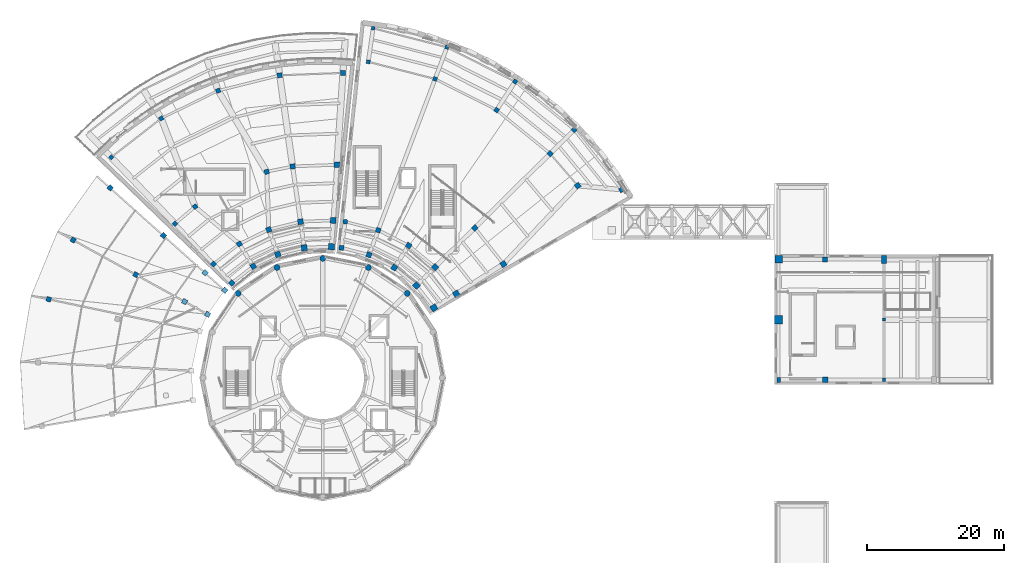
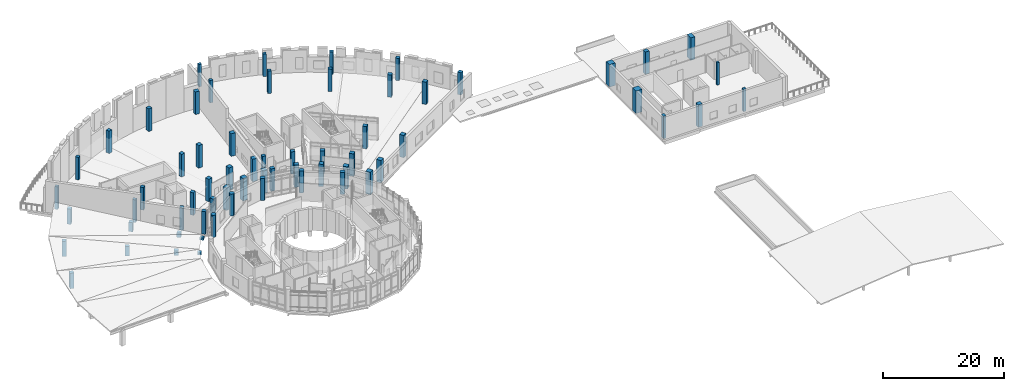
# One storey, part 3 of 49: 64 columns.
"""IFC4 building model written with IfcOpenShell, lengths in metres."""

from ifc_helpers import new_model, si_unit, direction, frame, origin, origin_2d, place, context, subcontext, project, spatial, rectangle, circle, extrude, material, material_profile, profile_set, type_object, element, save


model = new_model("IFC4")

# Units and contexts
model_context = context("Model", 3, precision=1e-05, world=origin(), true_north=direction((0.0, 1.0)))
body_context = subcontext(model_context, "Body", "Model", "MODEL_VIEW")
ifc_project = project(units=[si_unit("LENGTHUNIT", "METRE"), si_unit("AREAUNIT", "SQUARE_METRE"), si_unit("VOLUMEUNIT", "CUBIC_METRE"), si_unit("PLANEANGLEUNIT", "RADIAN"), si_unit("MASSUNIT", "GRAM", prefix="KILO")], contexts=[model_context])

# Site, building, storey
site_placement = place(None, origin())
site = spatial("IfcSite", under=ifc_project, at=site_placement, CompositionType="ELEMENT")
building_placement = place(site_placement, origin())
building = spatial("IfcBuilding", under=site, at=building_placement, Name="Soyqirgoq Riverine Aquarium", CompositionType="ELEMENT")
storey_placement = place(building_placement, frame((0.0, 0.0, 15.0)))
storey = spatial("IfcBuildingStorey", under=building, at=storey_placement, Name="L04", CompositionType="ELEMENT", Elevation=15.0)

# Columns
ifc_material_1 = material(Name="Concrete C40/50", Category="concrete")
ifc_material_profile_1 = material_profile(ifc_material_1, circle(Radius=0.425048828125, at=origin_2d()), Name="RC-COL D850")
ifc_profile_set_1 = profile_set([ifc_material_profile_1], Name="Concrete C40/50")
column_type_1 = type_object("IfcColumnType", Name="Col_Circ_D850", PredefinedType="COLUMN", material=ifc_profile_set_1)
for number, where, z_axis, x_axis, name in (
    (1, (68.339111328125, 69.339111328125, 0.0), (0.0, 0.0, 1.0), (0.707106781187, 0.707106781187, 0.0), "V1 Column V1-CO03 L04"),
    (2, (62.677734375, 73.12158203125, 0.0), (0.0, 0.0, 1.0), (0.382683432365, 0.923879532511, 0.0), "V1 Column V1-CO04 L04"),
    (3, (56.0, 74.449951171875, 0.0), (0.0, 0.0, 1.0), (0.0, 1.0, 0.0), "V1 Column V1-CO05 L04"),
    (4, (49.322265625, 73.12158203125, 0.0), (0.0, 0.0, 1.0), (-0.382683432365, 0.923879532511, 0.0), "V1 Column V1-CO06 L04"),
    (5, (43.660888671875, 69.339111328125, 0.0), (0.0, 0.0, 1.0), (-0.707106781187, 0.707106781187, 0.0), "V1 Column V1-CO07 L04"),
):
    element("IfcColumn", number, at=place(storey_placement, frame(where, z_axis=z_axis, x_axis=x_axis)), inside=storey, type_object=column_type_1, Name=name, PredefinedType="COLUMN", context=body_context, shape_type="SweptSolid", body=[
        extrude(circle(Radius=0.425048828125, at=origin_2d()), origin(), (0.0, 0.0, 1.0), 4.449951171875),
    ])
ifc_material_2 = material(Name="Waterproof concrete C45/55", Category="concrete")
ifc_material_profile_2 = material_profile(ifc_material_2, rectangle(XDim=1.10009765625, YDim=1.10009765625, at=origin_2d()), Name="RC 1100x1100")
ifc_profile_set_2 = profile_set([ifc_material_profile_2], Name="Waterproof concrete C45/55")
column_type_2 = type_object("IfcColumnType", Name="Col_RC_1100x1100", PredefinedType="COLUMN", material=ifc_profile_set_2)
column_1_placement = place(storey_placement, frame((122.60009765625, 74.300048828125, 0.0), z_axis=(0.0, 0.0, 1.0), x_axis=(1.0, 0.0, 0.0)))
element("IfcColumn", 6, at=column_1_placement, inside=storey, type_object=column_type_2, Name="V7 Column V7-C-10 L04", PredefinedType="COLUMN", context=body_context, shape_type="SweptSolid", body=[
    extrude(rectangle(XDim=1.10009765625, YDim=1.10009765625, at=origin_2d()), origin(), (0.0, 0.0, 1.0), 4.5400390625),
])
ifc_material_3 = material(Name="Waterproof concrete C45/55", Category="concrete")
ifc_material_profile_3 = material_profile(ifc_material_3, rectangle(XDim=1.199951171875, YDim=1.199951171875, at=origin_2d()), Name="RC 1200x1200")
ifc_profile_set_3 = profile_set([ifc_material_profile_3], Name="Waterproof concrete C45/55")
column_type_3 = type_object("IfcColumnType", Name="Col_RC_1200x1200", PredefinedType="COLUMN", material=ifc_profile_set_3)
column_2_placement = place(storey_placement, frame((122.60009765625, 65.5, 0.0), z_axis=(0.0, 0.0, 1.0), x_axis=(1.0, 0.0, 0.0)))
element("IfcColumn", 7, at=column_2_placement, inside=storey, type_object=column_type_3, Name="V7 Column V7-C-09 L04", PredefinedType="COLUMN", context=body_context, shape_type="SweptSolid", body=[
    extrude(rectangle(XDim=1.199951171875, YDim=1.199951171875, at=origin_2d()), origin(), (0.0, 0.0, 1.0), 4.5400390625),
])
ifc_material_4 = material(Name="Concrete C40/50", Category="concrete")
ifc_material_profile_4 = material_profile(ifc_material_4, rectangle(XDim=0.449951171875, YDim=0.449951171875, at=origin_2d()), Name="RC 450x450")
ifc_profile_set_4 = profile_set([ifc_material_profile_4], Name="Concrete C40/50")
column_type_4 = type_object("IfcColumnType", Name="Col_RC_450x450", PredefinedType="COLUMN", material=ifc_profile_set_4)
column_3_placement = place(storey_placement, frame((138.0, 65.5, 0.0), z_axis=(0.0, 0.0, 1.0), x_axis=(1.0, 0.0, 0.0)))
element("IfcColumn", 8, at=column_3_placement, inside=storey, type_object=column_type_4, Name="V7 Column V7-C-22 L04", PredefinedType="COLUMN", context=body_context, shape_type="SweptSolid", body=[
    extrude(rectangle(XDim=0.449951171875, YDim=0.449951171875, at=origin_2d()), origin(), (0.0, 0.0, 1.0), 4.5400390625),
])
ifc_material_5 = material(Name="Concrete C40/50", Category="concrete")
ifc_material_profile_5 = material_profile(ifc_material_5, rectangle(XDim=0.5, YDim=0.5, at=origin_2d()), Name="RC 500x500")
ifc_profile_set_5 = profile_set([ifc_material_profile_5], Name="Concrete C40/50")
column_type_5 = type_object("IfcColumnType", Name="Col_RC_500x500", PredefinedType="COLUMN", material=ifc_profile_set_5)
column_4_placement = place(storey_placement, frame((63.359619140625, 108.072509765625, 0.0), z_axis=(0.0, 0.0, 1.0), x_axis=(0.142628933706, 0.989776230908, 0.0)))
element("IfcColumn", 9, at=column_4_placement, inside=storey, type_object=column_type_5, Name="V5 Column V5-CR5-05 L04", PredefinedType="COLUMN", context=body_context, shape_type="SweptSolid", body=[
    extrude(rectangle(XDim=0.5, YDim=0.5, at=origin_2d()), origin(), (0.0, 0.0, 1.0), 4.52001953125),
])
column_5_placement = place(storey_placement, frame((138.0, 56.699951171875, 0.0), z_axis=(0.0, 0.0, 1.0), x_axis=(1.0, 0.0, 0.0)))
element("IfcColumn", 10, at=column_5_placement, inside=storey, type_object=column_type_5, Name="V7 Column V7-C-21 L04", PredefinedType="COLUMN", context=body_context, shape_type="SweptSolid", body=[
    extrude(rectangle(XDim=0.5, YDim=0.5, at=origin_2d()), origin(), (0.0, 0.0, 1.0), 4.5400390625),
])
ifc_material_6 = material(Name="Concrete C40/50", Category="concrete")
ifc_material_profile_6 = material_profile(ifc_material_6, rectangle(XDim=0.5, YDim=0.75, at=origin_2d()), Name="RC-COL 500x750")
ifc_profile_set_6 = profile_set([ifc_material_profile_6], Name="Concrete C40/50")
column_type_6 = type_object("IfcColumnType", Name="Col_RC_500x750", PredefinedType="COLUMN", material=ifc_profile_set_6)
column_6_placement = place(storey_placement, frame((122.60009765625, 56.699951171875, 0.0), z_axis=(0.0, 0.0, 1.0), x_axis=(1.0, 0.0, 0.0)))
element("IfcColumn", 11, at=column_6_placement, inside=storey, type_object=column_type_6, Name="V7 Column V7-C-08 L04", PredefinedType="COLUMN", context=body_context, shape_type="SweptSolid", body=[
    extrude(rectangle(XDim=0.5, YDim=0.75, at=origin_2d()), origin(), (0.0, 0.0, 1.0), 4.5400390625),
])
ifc_material_7 = material(Name="Concrete C40/50", Category="concrete")
ifc_material_profile_7 = material_profile(ifc_material_7, rectangle(XDim=0.550048828125, YDim=0.550048828125, at=origin_2d()), Name="RC 550x550")
ifc_profile_set_7 = profile_set([ifc_material_profile_7], Name="Concrete C40/50")
column_type_7 = type_object("IfcColumnType", Name="Col_RC_550x550", PredefinedType="COLUMN", material=ifc_profile_set_7)
column_7_placement = place(storey_placement, frame((25.095703125, 89.2265625, 0.0), z_axis=(0.0, 0.0, 1.0), x_axis=(-0.69214317387, 0.721760228098, 0.0)))
element("IfcColumn", 12, at=column_7_placement, inside=storey, type_object=column_type_7, Name="V4 Column V4-CR4-05 L04", PredefinedType="COLUMN", context=body_context, shape_type="SweptSolid", body=[
    extrude(rectangle(XDim=0.550048828125, YDim=0.550048828125, at=origin_2d()), origin(), (0.0, 0.0, 1.0), 4.580078125),
])
for number, where, z_axis, x_axis, name in (
    (13, (74.155029296875, 105.30078125, 0.0), (0.0, 0.0, 1.0), (0.351841648405, 0.936059535739, 0.0), "V5 Column V5-CR5-04 L04"),
    (14, (62.653564453125, 103.173095703125, 0.0), (0.0, 0.0, 1.0), (0.142628933706, 0.989776230908, 0.0), "V5 Column V5-CR4-05 L04"),
):
    element("IfcColumn", number, at=place(storey_placement, frame(where, z_axis=z_axis, x_axis=x_axis)), inside=storey, type_object=column_type_7, Name=name, PredefinedType="COLUMN", context=body_context, shape_type="SweptSolid", body=[
        extrude(rectangle(XDim=0.550048828125, YDim=0.550048828125, at=origin_2d()), origin(), (0.0, 0.0, 1.0), 4.52001953125),
    ])
ifc_material_8 = material(Name="Concrete C40/50", Category="concrete")
ifc_material_profile_8 = material_profile(ifc_material_8, rectangle(XDim=0.60009765625, YDim=0.60009765625, at=origin_2d()), Name="RC 600x600")
ifc_profile_set_8 = profile_set([ifc_material_profile_8], Name="Concrete C40/50")
column_type_8 = type_object("IfcColumnType", Name="Col_RC_600x600", PredefinedType="COLUMN", material=ifc_profile_set_8)
for number, where, z_axis, x_axis, name in (
    (15, (32.4052734375, 94.906494140625, 0.0), (0.0, 0.0, 1.0), (-0.528438334722, 0.848971687629, 0.0), "V4 Column V4-CR4-04 L04"),
    (16, (34.405029296875, 79.518798828125, 0.0), (0.0, 0.0, 1.0), (-0.69214317387, 0.721760228098, 0.0), "V4 Column V4-CR3-05 L04"),
):
    element("IfcColumn", number, at=place(storey_placement, frame(where, z_axis=z_axis, x_axis=x_axis)), inside=storey, type_object=column_type_8, Name=name, PredefinedType="COLUMN", context=body_context, shape_type="SweptSolid", body=[
        extrude(rectangle(XDim=0.60009765625, YDim=0.60009765625, at=origin_2d()), origin(), (0.0, 0.0, 1.0), 4.580078125),
    ])
for number, where, z_axis, x_axis, name in (
    (17, (84.103515625, 100.275390625, 0.0), (0.0, 0.0, 1.0), (0.544639035015, 0.838670567945, 0.0), "V5 Column V5-CR5-03 L04"),
    (18, (72.413330078125, 100.667236328125, 0.0), (0.0, 0.0, 1.0), (0.351841648405, 0.936059535739, 0.0), "V5 Column V5-CR4-04 L04"),
):
    element("IfcColumn", number, at=place(storey_placement, frame(where, z_axis=z_axis, x_axis=x_axis)), inside=storey, type_object=column_type_8, Name=name, PredefinedType="COLUMN", context=body_context, shape_type="SweptSolid", body=[
        extrude(rectangle(XDim=0.60009765625, YDim=0.60009765625, at=origin_2d()), origin(), (0.0, 0.0, 1.0), 4.52001953125),
    ])
ifc_material_9 = material(Name="Concrete C40/50", Category="concrete")
ifc_material_profile_9 = material_profile(ifc_material_9, rectangle(XDim=0.64990234375, YDim=0.64990234375, at=origin_2d()), Name="RC 650x650")
ifc_profile_set_9 = profile_set([ifc_material_profile_9], Name="Concrete C40/50")
column_type_9 = type_object("IfcColumnType", Name="Col_RC_650x650", PredefinedType="COLUMN", material=ifc_profile_set_9)
for number, where, z_axis, x_axis, name in (
    (19, (40.728759765625, 98.957275390625, 0.0), (0.0, 0.0, 1.0), (-0.342020143326, 0.939692620786, 0.0), "V4 Column V4-CR4-03 L04"),
    (20, (37.35400390625, 82.015380859375, 0.0), (0.0, 0.0, 1.0), (-0.597625146976, 0.801775644244, 0.0), "V4 Column V4-CR3-04 L04"),
    (21, (40.046142578125, 73.63671875, 0.0), (0.0, 0.0, 1.0), (-0.69214317387, 0.721760228098, 0.0), "V4 Column V4-CR2-05 L04"),
):
    element("IfcColumn", number, at=place(storey_placement, frame(where, z_axis=z_axis, x_axis=x_axis)), inside=storey, type_object=column_type_9, Name=name, PredefinedType="COLUMN", context=body_context, shape_type="SweptSolid", body=[
        extrude(rectangle(XDim=0.64990234375, YDim=0.64990234375, at=origin_2d()), origin(), (0.0, 0.0, 1.0), 4.580078125),
    ])
for number, where, z_axis, x_axis, name in (
    (22, (92.740478515625, 93.231201171875, 0.0), (0.0, 0.0, 1.0), (0.712026045991, 0.702153052995, 0.0), "V5 Column V5-CR5-02 L04"),
    (23, (81.407470703125, 96.1240234375, 0.0), (0.0, 0.0, 1.0), (0.544639035015, 0.838670567945, 0.0), "V5 Column V5-CR4-03 L04"),
    (24, (59.28759765625, 79.814208984375, 0.0), (0.0, 0.0, 1.0), (0.142628933706, 0.989776230908, 0.0), "V5 Column V5-CR2-05 L04"),
):
    element("IfcColumn", number, at=place(storey_placement, frame(where, z_axis=z_axis, x_axis=x_axis)), inside=storey, type_object=column_type_9, Name=name, PredefinedType="COLUMN", context=body_context, shape_type="SweptSolid", body=[
        extrude(rectangle(XDim=0.64990234375, YDim=0.64990234375, at=origin_2d()), origin(), (0.0, 0.0, 1.0), 4.52001953125),
    ])
ifc_material_10 = material(Name="Concrete C40/50", Category="concrete")
ifc_material_profile_10 = material_profile(ifc_material_10, rectangle(XDim=0.699951171875, YDim=0.699951171875, at=origin_2d()), Name="RC 700x700")
ifc_profile_set_10 = profile_set([ifc_material_profile_10], Name="Concrete C40/50")
column_type_10 = type_object("IfcColumnType", Name="Col_RC_700x700", PredefinedType="COLUMN", material=ifc_profile_set_10)
for number, where, z_axis, x_axis, name in (
    (25, (49.708740234375, 101.20458984375, 0.0), (0.0, 0.0, 1.0), (-0.140901231938, 0.990023657717, 0.0), "V4 Column V4-CR4-02 L04"),
    (26, (47.819580078125, 87.1083984375, 0.0), (0.0, 0.0, 1.0), (-0.262189178641, 0.965016494472, 0.0), "V4 Column V4-CR3-03 L04"),
    (27, (43.819580078125, 76.56884765625, 0.0), (0.0, 0.0, 1.0), (-0.528438334722, 0.848971687629, 0.0), "V4 Column V4-CR2-04 L04"),
    (28, (42.7109375, 70.85791015625, 0.0), (0.0, 0.0, 1.0), (-0.69214317387, 0.721760228098, 0.0), "V4 Column V4-CR1-05 L04"),
):
    element("IfcColumn", number, at=place(storey_placement, frame(where, z_axis=z_axis, x_axis=x_axis)), inside=storey, type_object=column_type_10, Name=name, PredefinedType="COLUMN", context=body_context, shape_type="SweptSolid", body=[
        extrude(rectangle(XDim=0.699951171875, YDim=0.699951171875, at=origin_2d()), origin(), (0.0, 0.0, 1.0), 4.580078125),
    ])
for number, where, z_axis, x_axis, name in (
    (29, (99.66357421875, 84.496337890625, 0.0), (0.0, 0.0, 1.0), (0.846193166128, 0.532876276071, 0.0), "V5 Column V5-CR5-01 L04"),
    (30, (89.216064453125, 89.75537109375, 0.0), (0.0, 0.0, 1.0), (0.712026045991, 0.702153052995, 0.0), "V5 Column V5-CR4-02 L04"),
    (31, (64.10986328125, 78.576171875, 0.0), (0.0, 0.0, 1.0), (0.351841648405, 0.936059535739, 0.0), "V5 Column V5-CR2-04 L04"),
    (32, (58.738525390625, 76.003662109375, 0.0), (0.0, 0.0, 1.0), (0.142628933706, 0.989776230908, 0.0), "V5 Column V5-CR1-05 L04"),
):
    element("IfcColumn", number, at=place(storey_placement, frame(where, z_axis=z_axis, x_axis=x_axis)), inside=storey, type_object=column_type_10, Name=name, PredefinedType="COLUMN", context=body_context, shape_type="SweptSolid", body=[
        extrude(rectangle(XDim=0.699951171875, YDim=0.699951171875, at=origin_2d()), origin(), (0.0, 0.0, 1.0), 4.52001953125),
    ])
column_8_placement = place(storey_placement, frame((41.68701171875, 69.79736328125, -0.219970703125), z_axis=(0.0, 0.0, 1.0), x_axis=(-0.745475999683, 0.666532470249, 0.0)))
element("IfcColumn", 33, at=column_8_placement, inside=storey, type_object=column_type_10, Name="V3 Prairie Roof Inner Column Post 01", PredefinedType="COLUMN", context=body_context, shape_type="SweptSolid", body=[
    extrude(rectangle(XDim=0.699951171875, YDim=0.699951171875, at=origin_2d()), origin(), (0.0, 0.0, 1.0), 0.427978515625),
])
column_9_placement = place(storey_placement, frame((24.950927734375, 84.760986328125, -0.219970703125), z_axis=(0.0, 0.0, 1.0), x_axis=(-0.745475999683, 0.666532470249, 0.0)))
element("IfcColumn", 34, at=column_9_placement, inside=storey, type_object=column_type_10, Name="V3 Prairie Roof Outer Column Post 01", PredefinedType="COLUMN", context=body_context, shape_type="SweptSolid", body=[
    extrude(rectangle(XDim=0.699951171875, YDim=0.699951171875, at=origin_2d()), origin(), (0.0, 0.0, 1.0), 3.09375),
])
column_10_placement = place(storey_placement, frame((38.81689453125, 72.363525390625, -0.219970703125), z_axis=(0.0, 0.0, 1.0), x_axis=(-0.745475999683, 0.666532470249, 0.0)))
element("IfcColumn", 35, at=column_10_placement, inside=storey, type_object=column_type_10, Name="V3 Prairie Roof Mid Column Post R2-01", PredefinedType="COLUMN", context=body_context, shape_type="SweptSolid", body=[
    extrude(rectangle(XDim=0.699951171875, YDim=0.699951171875, at=origin_2d()), origin(), (0.0, 0.0, 1.0), 0.885009765625),
])
column_11_placement = place(storey_placement, frame((32.7412109375, 77.7958984375, -0.219970703125), z_axis=(0.0, 0.0, 1.0), x_axis=(-0.745475999683, 0.666532470249, 0.0)))
element("IfcColumn", 36, at=column_11_placement, inside=storey, type_object=column_type_10, Name="V3 Prairie Roof Mid Column Post R3-01", PredefinedType="COLUMN", context=body_context, shape_type="SweptSolid", body=[
    extrude(rectangle(XDim=0.699951171875, YDim=0.699951171875, at=origin_2d()), origin(), (0.0, 0.0, 1.0), 1.852783203125),
])
column_12_placement = place(storey_placement, frame((39.191162109375, 66.279052734375, -0.219970703125), z_axis=(0.0, 0.0, 1.0), x_axis=(-0.875464527, 0.483282383255, 0.0)))
element("IfcColumn", 37, at=column_12_placement, inside=storey, type_object=column_type_10, Name="V3 Prairie Roof Inner Column Post 02", PredefinedType="COLUMN", context=body_context, shape_type="SweptSolid", body=[
    extrude(rectangle(XDim=0.699951171875, YDim=0.699951171875, at=origin_2d()), origin(), (0.0, 0.0, 1.0), 0.432861328125),
])
column_13_placement = place(storey_placement, frame((19.536865234375, 77.128662109375, -0.219970703125), z_axis=(0.0, 0.0, 1.0), x_axis=(-0.875464527, 0.483282383255, 0.0)))
element("IfcColumn", 38, at=column_13_placement, inside=storey, type_object=column_type_10, Name="V3 Prairie Roof Outer Column Post 02", PredefinedType="COLUMN", context=body_context, shape_type="SweptSolid", body=[
    extrude(rectangle(XDim=0.699951171875, YDim=0.699951171875, at=origin_2d()), origin(), (0.0, 0.0, 1.0), 3.0986328125),
])
column_14_placement = place(storey_placement, frame((35.820556640625, 68.1396484375, -0.219970703125), z_axis=(0.0, 0.0, 1.0), x_axis=(-0.875464527, 0.483282383255, 0.0)))
element("IfcColumn", 39, at=column_14_placement, inside=storey, type_object=column_type_10, Name="V3 Prairie Roof Mid Column Post R2-02", PredefinedType="COLUMN", context=body_context, shape_type="SweptSolid", body=[
    extrude(rectangle(XDim=0.699951171875, YDim=0.699951171875, at=origin_2d()), origin(), (0.0, 0.0, 1.0), 0.89013671875),
])
column_15_placement = place(storey_placement, frame((28.685546875, 72.078369140625, -0.219970703125), z_axis=(0.0, 0.0, 1.0), x_axis=(-0.875464527, 0.483282383255, 0.0)))
element("IfcColumn", 40, at=column_15_placement, inside=storey, type_object=column_type_10, Name="V3 Prairie Roof Mid Column Post R3-02", PredefinedType="COLUMN", context=body_context, shape_type="SweptSolid", body=[
    extrude(rectangle(XDim=0.699951171875, YDim=0.699951171875, at=origin_2d()), origin(), (0.0, 0.0, 1.0), 1.857666015625),
])
column_16_placement = place(storey_placement, frame((15.96337890625, 68.480224609375, -0.219970703125), z_axis=(0.0, 0.0, 1.0), x_axis=(-0.961261695938, 0.275637355817, 0.0)))
element("IfcColumn", 41, at=column_16_placement, inside=storey, type_object=column_type_10, Name="V3 Prairie Roof Outer Column Post 03", PredefinedType="COLUMN", context=body_context, shape_type="SweptSolid", body=[
    extrude(rectangle(XDim=0.699951171875, YDim=0.699951171875, at=origin_2d()), origin(), (0.0, 0.0, 1.0), 3.123291015625),
])
ifc_material_11 = material(Name="Concrete C40/50", Category="concrete")
ifc_material_profile_11 = material_profile(ifc_material_11, rectangle(XDim=0.75, YDim=0.75, at=origin_2d()), Name="RC 750x750")
ifc_profile_set_11 = profile_set([ifc_material_profile_11], Name="Concrete C40/50")
column_type_11 = type_object("IfcColumnType", Name="Col_RC_750x750", PredefinedType="COLUMN", material=ifc_profile_set_11)
for number, where, z_axis, x_axis, name in (
    (42, (58.958984375, 101.5517578125, 0.0), (0.0, 0.0, 1.0), (0.0662739004, 0.997801468292, 0.0), "V4 Column V4-CR4-01 L04"),
    (43, (51.60400390625, 87.888671875, 0.0), (0.0, 0.0, 1.0), (-0.140901231938, 0.990023657717, 0.0), "V4 Column V4-CR3-02 L04"),
    (44, (48.116455078125, 78.659912109375, 0.0), (0.0, 0.0, 1.0), (-0.342020143326, 0.939692620786, 0.0), "V4 Column V4-CR2-03 L04"),
    (45, (45.85400390625, 73.30029296875, 0.0), (0.0, 0.0, 1.0), (-0.528438334722, 0.848971687629, 0.0), "V4 Column V4-CR1-04 L04"),
):
    element("IfcColumn", number, at=place(storey_placement, frame(where, z_axis=z_axis, x_axis=x_axis)), inside=storey, type_object=column_type_11, Name=name, PredefinedType="COLUMN", context=body_context, shape_type="SweptSolid", body=[
        extrude(rectangle(XDim=0.75, YDim=0.75, at=origin_2d()), origin(), (0.0, 0.0, 1.0), 4.580078125),
    ])
for number, where, z_axis, x_axis, name in (
    (46, (93.25634765625, 85.07470703125, 0.0), (0.0, 0.0, 1.0), (0.798635510047, 0.601815023152, 0.0), "V5 Column V5-CR4-01 L04"),
    (47, (78.215087890625, 78.9072265625, 0.0), (0.0, 0.0, 1.0), (0.712026045991, 0.702153052995, 0.0), "V5 Column V5-CR3-02 L04"),
    (48, (68.553955078125, 76.331298828125, 0.0), (0.0, 0.0, 1.0), (0.544639035015, 0.838670567945, 0.0), "V5 Column V5-CR2-03 L04"),
    (49, (62.75537109375, 74.972412109375, 0.0), (0.0, 0.0, 1.0), (0.351841648405, 0.936059535739, 0.0), "V5 Column V5-CR1-04 L04"),
):
    element("IfcColumn", number, at=place(storey_placement, frame(where, z_axis=z_axis, x_axis=x_axis)), inside=storey, type_object=column_type_11, Name=name, PredefinedType="COLUMN", context=body_context, shape_type="SweptSolid", body=[
        extrude(rectangle(XDim=0.75, YDim=0.75, at=origin_2d()), origin(), (0.0, 0.0, 1.0), 4.52001953125),
    ])
column_17_placement = place(storey_placement, frame((129.39990234375, 74.300048828125, 0.0), z_axis=(0.0, 0.0, 1.0), x_axis=(1.0, 0.0, 0.0)))
element("IfcColumn", 50, at=column_17_placement, inside=storey, type_object=column_type_11, Name="V7 Column V7-C-16 L04", PredefinedType="COLUMN", context=body_context, shape_type="SweptSolid", body=[
    extrude(rectangle(XDim=0.75, YDim=0.75, at=origin_2d()), origin(), (0.0, 0.0, 1.0), 4.5400390625),
])
ifc_material_12 = material(Name="Concrete C40/50", Category="concrete")
ifc_material_profile_12 = material_profile(ifc_material_12, rectangle(XDim=0.800048828125, YDim=1.199951171875, at=origin_2d()), Name="RC-COL 800x1200")
ifc_profile_set_12 = profile_set([ifc_material_profile_12], Name="Concrete C40/50")
column_type_12 = type_object("IfcColumnType", Name="Col_RC_800x1200", PredefinedType="COLUMN", material=ifc_profile_set_12)
column_18_placement = place(storey_placement, frame((138.0, 74.300048828125, 0.0), z_axis=(0.0, 0.0, 1.0), x_axis=(1.0, 0.0, 0.0)))
element("IfcColumn", 51, at=column_18_placement, inside=storey, type_object=column_type_12, Name="V7 Column V7-C-23 L04", PredefinedType="COLUMN", context=body_context, shape_type="SweptSolid", body=[
    extrude(rectangle(XDim=0.800048828125, YDim=1.199951171875, at=origin_2d()), origin(), (0.0, 0.0, 1.0), 4.5400390625),
])
ifc_material_13 = material(Name="Concrete C40/50", Category="concrete")
ifc_material_profile_13 = material_profile(ifc_material_13, rectangle(XDim=0.800048828125, YDim=0.800048828125, at=origin_2d()), Name="RC 800x800")
ifc_profile_set_13 = profile_set([ifc_material_profile_13], Name="Concrete C40/50")
column_type_13 = type_object("IfcColumnType", Name="Col_RC_800x800", PredefinedType="COLUMN", material=ifc_profile_set_13)
for number, where, z_axis, x_axis, name in (
    (52, (58.067626953125, 88.13134765625, 0.0), (0.0, 0.0, 1.0), (0.0662739004, 0.997801468292, 0.0), "V4 Column V4-CR3-01 L04"),
    (53, (52.752197265625, 79.820068359375, 0.0), (0.0, 0.0, 1.0), (-0.140901231938, 0.990023657717, 0.0), "V4 Column V4-CR2-02 L04"),
    (54, (49.43310546875, 75.0419921875, 0.0), (0.0, 0.0, 1.0), (-0.342020143326, 0.939692620786, 0.0), "V4 Column V4-CR1-03 L04"),
):
    element("IfcColumn", number, at=place(storey_placement, frame(where, z_axis=z_axis, x_axis=x_axis)), inside=storey, type_object=column_type_13, Name=name, PredefinedType="COLUMN", context=body_context, shape_type="SweptSolid", body=[
        extrude(rectangle(XDim=0.800048828125, YDim=0.800048828125, at=origin_2d()), origin(), (0.0, 0.0, 1.0), 4.580078125),
    ])
for number, where, z_axis, x_axis, name in (
    (55, (82.401123046875, 73.625732421875, 0.0), (0.0, 0.0, 1.0), (0.846193166128, 0.532876276071, 0.0), "V5 Column V5-CR3-01 L04"),
    (56, (72.412109375, 73.1845703125, 0.0), (0.0, 0.0, 1.0), (0.712026045991, 0.702153052995, 0.0), "V5 Column V5-CR2-02 L04"),
    (57, (66.45703125, 73.1025390625, 0.0), (0.0, 0.0, 1.0), (0.544639035015, 0.838670567945, 0.0), "V5 Column V5-CR1-03 L04"),
):
    element("IfcColumn", number, at=place(storey_placement, frame(where, z_axis=z_axis, x_axis=x_axis)), inside=storey, type_object=column_type_13, Name=name, PredefinedType="COLUMN", context=body_context, shape_type="SweptSolid", body=[
        extrude(rectangle(XDim=0.800048828125, YDim=0.800048828125, at=origin_2d()), origin(), (0.0, 0.0, 1.0), 4.52001953125),
    ])
column_19_placement = place(storey_placement, frame((129.39990234375, 56.699951171875, 0.0), z_axis=(0.0, 0.0, 1.0), x_axis=(1.0, 0.0, 0.0)))
element("IfcColumn", 58, at=column_19_placement, inside=storey, type_object=column_type_13, Name="V7 Column V7-C-15 L04", PredefinedType="COLUMN", context=body_context, shape_type="SweptSolid", body=[
    extrude(rectangle(XDim=0.800048828125, YDim=0.800048828125, at=origin_2d()), origin(), (0.0, 0.0, 1.0), 4.5400390625),
])
ifc_material_14 = material(Name="Concrete C40/50", Category="concrete")
ifc_material_profile_14 = material_profile(ifc_material_14, rectangle(XDim=0.85009765625, YDim=0.85009765625, at=origin_2d()), Name="RC 850x850")
ifc_profile_set_14 = profile_set([ifc_material_profile_14], Name="Concrete C40/50")
column_type_14 = type_object("IfcColumnType", Name="Col_RC_850x850", PredefinedType="COLUMN", material=ifc_profile_set_14)
for number, where, z_axis, x_axis, name in (
    (59, (57.527587890625, 79.999267578125, 0.0), (0.0, 0.0, 1.0), (0.0662739004, 0.997801468292, 0.0), "V4 Column V4-CR2-01 L04"),
    (60, (53.294677734375, 76.008544921875, 0.0), (0.0, 0.0, 1.0), (-0.140901231938, 0.990023657717, 0.0), "V4 Column V4-CR1-02 L04"),
):
    element("IfcColumn", number, at=place(storey_placement, frame(where, z_axis=z_axis, x_axis=x_axis)), inside=storey, type_object=column_type_14, Name=name, PredefinedType="COLUMN", context=body_context, shape_type="SweptSolid", body=[
        extrude(rectangle(XDim=0.85009765625, YDim=0.85009765625, at=origin_2d()), origin(), (0.0, 0.0, 1.0), 4.580078125),
    ])
for number, where, z_axis, x_axis, name in (
    (61, (75.5048828125, 69.28271484375, 0.0), (0.0, 0.0, 1.0), (0.846193166128, 0.532876276071, 0.0), "V5 Column V5-CR2-01 L04"),
    (62, (69.6708984375, 70.481201171875, 0.0), (0.0, 0.0, 1.0), (0.712026045991, 0.702153052995, 0.0), "V5 Column V5-CR1-02 L04"),
):
    element("IfcColumn", number, at=place(storey_placement, frame(where, z_axis=z_axis, x_axis=x_axis)), inside=storey, type_object=column_type_14, Name=name, PredefinedType="COLUMN", context=body_context, shape_type="SweptSolid", body=[
        extrude(rectangle(XDim=0.85009765625, YDim=0.85009765625, at=origin_2d()), origin(), (0.0, 0.0, 1.0), 4.52001953125),
    ])
ifc_material_15 = material(Name="Concrete C40/50", Category="concrete")
ifc_material_profile_15 = material_profile(ifc_material_15, rectangle(XDim=0.89990234375, YDim=0.89990234375, at=origin_2d()), Name="RC 900x900")
ifc_profile_set_15 = profile_set([ifc_material_profile_15], Name="Concrete C40/50")
column_type_15 = type_object("IfcColumnType", Name="Col_RC_900x900", PredefinedType="COLUMN", material=ifc_profile_set_15)
column_20_placement = place(storey_placement, frame((57.2724609375, 76.15771484375, 0.0), z_axis=(0.0, 0.0, 1.0), x_axis=(0.0662739004, 0.997801468292, 0.0)))
element("IfcColumn", 63, at=column_20_placement, inside=storey, type_object=column_type_15, Name="V4 Column V4-CR1-01 L04", PredefinedType="COLUMN", context=body_context, shape_type="SweptSolid", body=[
    extrude(rectangle(XDim=0.89990234375, YDim=0.89990234375, at=origin_2d()), origin(), (0.0, 0.0, 1.0), 4.580078125),
])
column_21_placement = place(storey_placement, frame((72.246826171875, 67.231201171875, 0.0), z_axis=(0.0, 0.0, 1.0), x_axis=(0.846193166128, 0.532876276071, 0.0)))
element("IfcColumn", 64, at=column_21_placement, inside=storey, type_object=column_type_15, Name="V5 Column V5-CR1-01 L04", PredefinedType="COLUMN", context=body_context, shape_type="SweptSolid", body=[
    extrude(rectangle(XDim=0.89990234375, YDim=0.89990234375, at=origin_2d()), origin(), (0.0, 0.0, 1.0), 4.52001953125),
])

save(model, "model.ifc")
